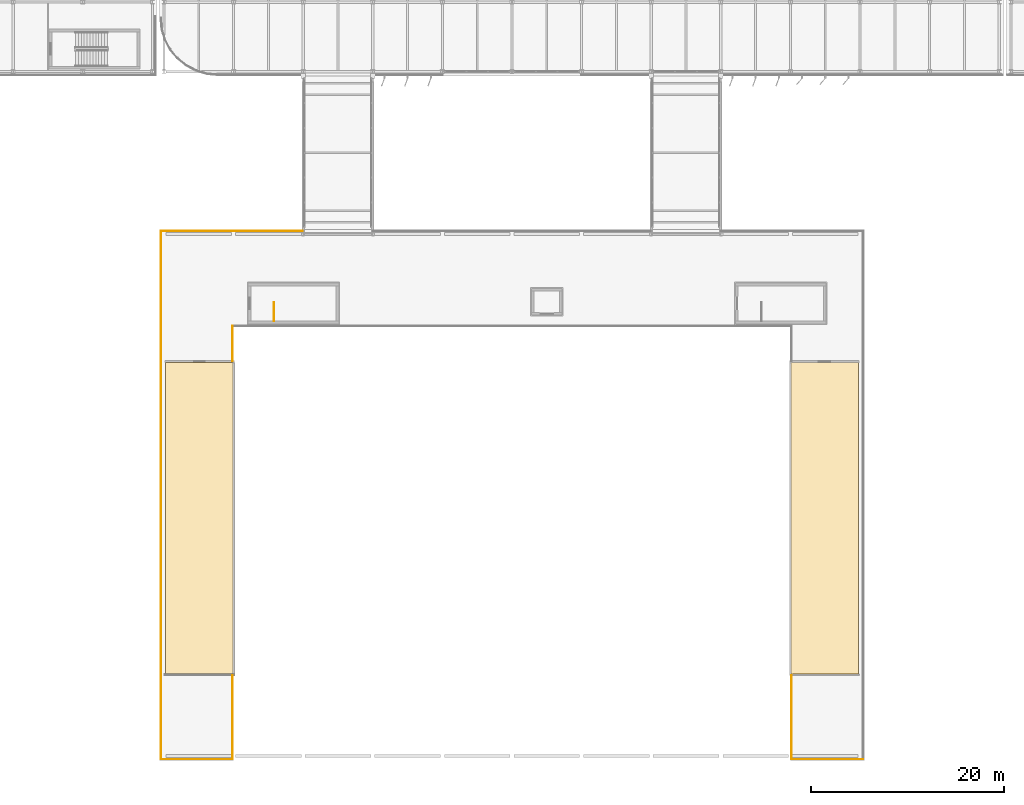
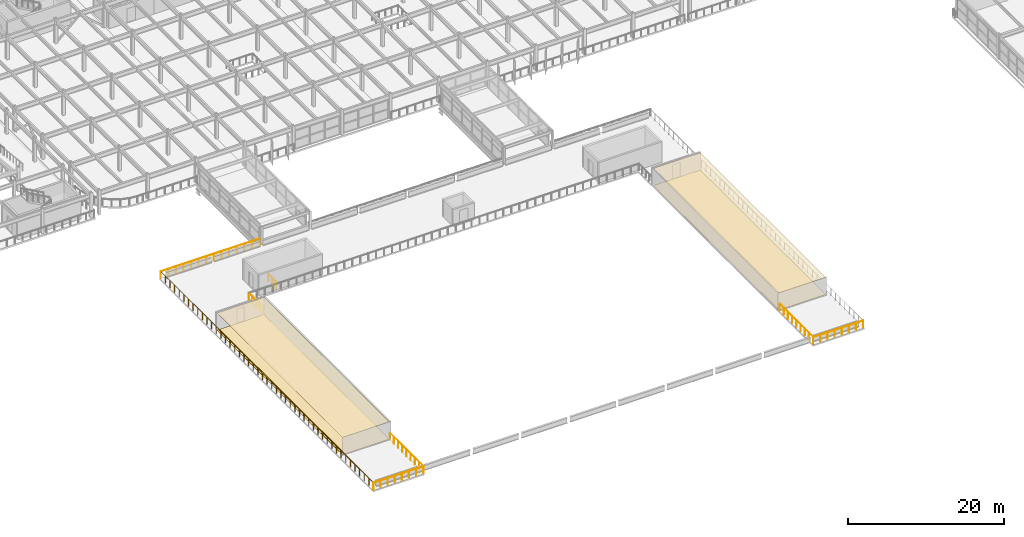
# One storey, part 76 of 93: 8 railings, 4 coverings.
"""IFC4 building model written with IfcOpenShell, lengths in metres."""

import ifcopenshell
import ifcopenshell.guid

model = None  # the IFC model being written
_history = None  # IfcOwnerHistory: only IFC2X3 demands one
_inside = {}  # id of a spatial element -> (the spatial element, [elements in it])
_under = {}  # id of a project, library or spatial element -> (it, [spatial elements below it])
_declared = {}  # id of a project -> (the project, [libraries it declares])
_typed = {}  # id of a type object -> (the type object, [elements of that type])
_made_of = {}  # id of a material, layer set ... -> (it, [elements and type objects made of it])


def new_model(schema):
    """Start an empty IFC model of exactly this schema.

    Asked for "IFC4X3", IfcOpenShell would pick the latest addendum, in which some entities
    have other attributes; the version numbers below select the first issue.
    IFC2X3 requires an IfcOwnerHistory on every rooted entity: one is made here for all.
    """
    global model, _history
    if schema == "IFC4X3":
        model = ifcopenshell.file(schema_version=(4, 3, 0, 0))
    else:
        model = ifcopenshell.file(schema=schema)
    _inside.clear()
    _under.clear()
    _declared.clear()
    _typed.clear()
    _made_of.clear()
    _history = None
    if model.schema == "IFC2X3":
        org = make("IfcOrganization", Name="unknown")
        user = make(
            "IfcPersonAndOrganization",
            ThePerson=make("IfcPerson", FamilyName="unknown"),
            TheOrganization=org,
        )
        app = make(
            "IfcApplication",
            ApplicationDeveloper=org,
            Version="unknown",
            ApplicationFullName="unknown",
            ApplicationIdentifier="unknown",
        )
        _history = make(
            "IfcOwnerHistory",
            OwningUser=user,
            OwningApplication=app,
            ChangeAction="ADDED",
            CreationDate=0,
        )
    return model


def make(cls, **values):
    """One entity of the class cls with the attributes given. An attribute that is None is left unset."""
    return model.create_entity(
        cls, **{name: value for name, value in values.items() if value is not None}
    )


def rooted(cls, **values):
    """An entity with a GlobalId (a new one), such as an element, a storey or a relation."""
    return make(cls, GlobalId=ifcopenshell.guid.new(), OwnerHistory=_history, **values)


def si_unit(unit_type, name, prefix=None):
    """IfcSIUnit, for example si_unit("LENGTHUNIT", "METRE", prefix="MILLI")."""
    return make("IfcSIUnit", UnitType=unit_type, Prefix=prefix, Name=name)


def assignment(units):
    """IfcUnitAssignment: the units of a project."""
    return None if units is None else make("IfcUnitAssignment", Units=units)


def point(xyz):
    """IfcCartesianPoint."""
    return None if xyz is None else make("IfcCartesianPoint", Coordinates=xyz)


def direction(xyz):
    """IfcDirection."""
    return None if xyz is None else make("IfcDirection", DirectionRatios=xyz)


def frame(location, z_axis=None, x_axis=None):
    """IfcAxis2Placement3D, a coordinate frame: its origin and axes. An axis left out is left unset."""
    return make(
        "IfcAxis2Placement3D",
        Location=point(location),
        Axis=direction(z_axis),
        RefDirection=direction(x_axis),
    )


def frame_2d(location, x_axis=None):
    """IfcAxis2Placement2D, a coordinate frame in the plane: its origin and x axis."""
    return make(
        "IfcAxis2Placement2D", Location=point(location), RefDirection=direction(x_axis)
    )


def origin():
    """The frame at (0, 0, 0) with its axes left unset."""
    return frame((0.0, 0.0, 0.0))


def origin_2d():
    """The frame at (0, 0) in the plane with its x axis left unset."""
    return frame_2d((0.0, 0.0))


def place(relative_to, where):
    """IfcLocalPlacement: puts the frame where relative to a parent placement (None: the world)."""
    return make(
        "IfcLocalPlacement", PlacementRelTo=relative_to, RelativePlacement=where
    )


def context(
    kind, dimensions, precision=None, world=None, true_north=None, identifier=None
):
    """IfcGeometricRepresentationContext, for example the 3D "Model" context."""
    return make(
        "IfcGeometricRepresentationContext",
        ContextIdentifier=identifier,
        ContextType=kind,
        CoordinateSpaceDimension=dimensions,
        Precision=precision,
        WorldCoordinateSystem=world,
        TrueNorth=true_north,
    )


def subcontext(parent, identifier, kind, view, scale=None):
    """IfcGeometricRepresentationSubContext, for example "Body" below "Model"."""
    return make(
        "IfcGeometricRepresentationSubContext",
        ContextIdentifier=identifier,
        ContextType=kind,
        ParentContext=parent,
        TargetScale=scale,
        TargetView=view,
    )


def project(units=None, contexts=None):
    """IfcProject with its units and contexts."""
    return rooted(
        "IfcProject",
        Name="project",
        RepresentationContexts=contexts,
        UnitsInContext=assignment(units),
    )


def spatial(cls, under=None, at=None, **own):
    """A site, building, storey or space (cls), placed at a placement, below another one or the project."""
    s = rooted(cls, ObjectPlacement=at, **own)
    if under is not None:
        _under.setdefault(under.id(), (under, []))[1].append(s)
    return s


def polyline(points):
    """IfcPolyline through the points."""
    return make("IfcPolyline", Points=[point(p) for p in points])


def profile(cls, at=None, kind="AREA", **sizes):
    """A parametric profile (cls). Its sizes go by their IFC names, for example OverallWidth=200.0."""
    return make(cls, ProfileType=kind, Position=at, **sizes)


def circle(**sizes):
    """IfcCircleProfileDef."""
    return profile("IfcCircleProfileDef", **sizes)


def outline(outer, holes=None, kind="AREA"):
    """IfcArbitraryClosedProfileDef: a profile drawn as a closed curve; with holes, ...WithVoids."""
    if holes is None:
        return make("IfcArbitraryClosedProfileDef", ProfileType=kind, OuterCurve=outer)
    return make(
        "IfcArbitraryProfileDefWithVoids",
        ProfileType=kind,
        OuterCurve=outer,
        InnerCurves=holes,
    )


def extrude(swept, where, along, depth):
    """IfcExtrudedAreaSolid: the profile swept, set in the frame where, extruded along a direction by depth."""
    return make(
        "IfcExtrudedAreaSolid",
        SweptArea=swept,
        Position=where,
        ExtrudedDirection=direction(along),
        Depth=depth,
    )


def shape(context_of_items, identifier, shape_type, items):
    """IfcShapeRepresentation: the items that make up one representation, for example the "Body"."""
    return make(
        "IfcShapeRepresentation",
        ContextOfItems=context_of_items,
        RepresentationIdentifier=identifier,
        RepresentationType=shape_type,
        Items=items,
    )


def material(Name=None, Category=None):
    """IfcMaterial."""
    return make("IfcMaterial", Name=Name, Category=Category)


def layer(
    of_material, thickness, ventilated=None, Name=None, Category=None, Priority=None
):
    """IfcMaterialLayer: one layer of a wall or slab, of a material (None: an air gap)."""
    return make(
        "IfcMaterialLayer",
        Material=of_material,
        LayerThickness=thickness,
        IsVentilated=ventilated,
        Name=Name,
        Category=Category,
        Priority=Priority,
    )


def layer_set(layers, Name=None):
    """IfcMaterialLayerSet."""
    return make("IfcMaterialLayerSet", MaterialLayers=layers, LayerSetName=Name)


def made_of(thing, what):
    """Note that an element or type object is made of a material, layer set ...; save() writes the relation."""
    if what is not None:
        _made_of.setdefault(what.id(), (what, []))[1].append(thing)
    return thing


def type_object(cls, material=None, **own):
    """A type object (cls), such as IfcWallType, which elements share."""
    return made_of(rooted(cls, **own), material)


def element(
    cls,
    number,
    at=None,
    inside=None,
    cuts=None,
    type_object=None,
    material=None,
    context=None,
    identifier="Body",
    shape_type=None,
    held_by="IfcProductDefinitionShape",
    body=None,
    shapes=None,
    **own,
):
    """One element of the class cls, such as IfcWall. Its Tag is "e" and its number.

    at: its placement. inside: the storey or other place that contains it. cuts: it is an
    opening in that element (IfcRelVoidsElement). A single representation is given by context,
    identifier, shape_type and body (its items); several are given by shapes. held_by: the class
    of the entity that holds the representations. save() writes the other relations.
    """
    e = rooted(cls, Tag="e%d" % number, ObjectPlacement=at, **own)
    if body is not None:
        shapes = [shape(context, identifier, shape_type, body)]
    if shapes is not None:
        e.Representation = make(held_by, Representations=shapes)
    if inside is not None:
        _inside.setdefault(inside.id(), (inside, []))[1].append(e)
    if cuts is not None:
        rooted(
            "IfcRelVoidsElement", RelatingBuildingElement=cuts, RelatedOpeningElement=e
        )
    if type_object is not None:
        _typed.setdefault(type_object.id(), (type_object, []))[1].append(e)
    return made_of(e, material)


def aggregate(whole, parts):
    """IfcRelAggregates: a whole, such as a stair, and the parts it consists of."""
    return rooted("IfcRelAggregates", RelatingObject=whole, RelatedObjects=parts)


def save(model, path):
    """Write the relations noted so far, then the file.

    IfcRelAggregates (storeys below a building ...), IfcRelContainedInSpatialStructure (elements
    in a storey), IfcRelDefinesByType, IfcRelAssociatesMaterial and IfcRelDeclares: one each for
    every whole, place, type object, material and project.
    """
    for whole, parts in _under.values():
        aggregate(whole, parts)
    for where, things in _inside.values():
        rooted(
            "IfcRelContainedInSpatialStructure",
            RelatedElements=things,
            RelatingStructure=where,
        )
    for kind, things in _typed.values():
        rooted("IfcRelDefinesByType", RelatedObjects=things, RelatingType=kind)
    for what, things in _made_of.values():
        rooted("IfcRelAssociatesMaterial", RelatedObjects=things, RelatingMaterial=what)
    for by, libraries in _declared.values():
        rooted("IfcRelDeclares", RelatingContext=by, RelatedDefinitions=libraries)
    model.write(path)


model = new_model("IFC4")

# Units and contexts
model_context = context("Model", 3, precision=1e-05, world=origin(), true_north=direction((0.0, 1.0)))
body_context = subcontext(model_context, "Body", "Model", "MODEL_VIEW")
ifc_project = project(units=[si_unit("LENGTHUNIT", "METRE"), si_unit("AREAUNIT", "SQUARE_METRE"), si_unit("VOLUMEUNIT", "CUBIC_METRE"), si_unit("PLANEANGLEUNIT", "RADIAN"), si_unit("MASSUNIT", "GRAM", prefix="KILO")], contexts=[model_context])

# Site, building, storey
site_placement = place(None, origin())
site = spatial("IfcSite", under=ifc_project, at=site_placement, CompositionType="ELEMENT")
building_placement = place(site_placement, origin())
building = spatial("IfcBuilding", under=site, at=building_placement, Name="Vaelcorin Mobility Hub", CompositionType="ELEMENT")
storey_placement = place(building_placement, frame((0.0, 0.0, 5.39990234375)))
storey = spatial("IfcBuildingStorey", under=building, at=storey_placement, Name="L01", CompositionType="ELEMENT", Elevation=5.39990234375)

# Coverings
ifc_material_1 = material(Name="Perforated acoustic mineral-fibre ceiling tile")
ifc_layer_1 = layer(ifc_material_1, 0.030029296875)
ifc_layer_set_1 = layer_set([ifc_layer_1], Name="Perforated acoustic mineral-fibre ceiling tile")
covering_type_1 = type_object("IfcCoveringType", Name="COV-CEIL-3", PredefinedType="CEILING", material=ifc_layer_set_1)
covering_1_placement = place(storey_placement, frame((0.0, 0.0, 2.68017578125)))
element("IfcCovering", 1, at=covering_1_placement, inside=storey, type_object=covering_type_1, Name="West Executive Passenger Lounge Acoustic Ceiling", PredefinedType="CEILING", context=body_context, shape_type="SweptSolid", body=[
    extrude(outline(polyline([(36.199951171875, 14.47998046875), (36.194091796875, 14.47998046875), (36.18798828125, 14.48095703125), (36.18310546875, 14.48291015625), (36.177001953125, 14.485107421875), (36.172119140625, 14.487060546875), (36.1669921875, 14.489990234375), (36.162109375, 14.493896484375), (36.157958984375, 14.498046875), (36.154052734375, 14.501953125), (36.14990234375, 14.507080078125), (36.14697265625, 14.511962890625), (36.14501953125, 14.51708984375), (36.14306640625, 14.52294921875), (36.14111328125, 14.528076171875), (36.139892578125, 14.533935546875), (36.139892578125, 14.5400390625), (36.139892578125, 46.659912109375), (36.139892578125, 46.666015625), (36.14111328125, 46.672119140625), (36.14306640625, 46.677001953125), (36.14501953125, 46.68310546875), (36.14697265625, 46.68798828125), (36.14990234375, 46.693115234375), (36.154052734375, 46.697998046875), (36.157958984375, 46.701904296875), (36.162109375, 46.7060546875), (36.1669921875, 46.7099609375), (36.172119140625, 46.712890625), (36.177001953125, 46.715087890625), (36.18310546875, 46.717041015625), (36.18798828125, 46.718994140625), (36.194091796875, 46.719970703125), (36.199951171875, 46.719970703125), (43.06005859375, 46.719970703125), (43.06591796875, 46.719970703125), (43.072021484375, 46.718994140625), (43.076904296875, 46.717041015625), (43.0830078125, 46.715087890625), (43.087890625, 46.712890625), (43.093017578125, 46.7099609375), (43.097900390625, 46.7060546875), (43.10205078125, 46.701904296875), (43.10595703125, 46.697998046875), (43.110107421875, 46.693115234375), (43.113037109375, 46.68798828125), (43.114990234375, 46.68310546875), (43.116943359375, 46.677001953125), (43.118896484375, 46.672119140625), (43.1201171875, 46.666015625), (43.1201171875, 46.659912109375), (43.1201171875, 14.5400390625), (43.1201171875, 14.533935546875), (43.118896484375, 14.528076171875), (43.116943359375, 14.52294921875), (43.114990234375, 14.51708984375), (43.113037109375, 14.511962890625), (43.110107421875, 14.507080078125), (43.10595703125, 14.501953125), (43.10205078125, 14.498046875), (43.097900390625, 14.493896484375), (43.093017578125, 14.489990234375), (43.087890625, 14.487060546875), (43.0830078125, 14.485107421875), (43.076904296875, 14.48291015625), (43.072021484375, 14.48095703125), (43.06591796875, 14.47998046875), (43.06005859375, 14.47998046875), (36.199951171875, 14.47998046875)])), origin(), (0.0, 0.0, 1.0), 0.030029296875),
])
ifc_layer_2 = layer(ifc_material_1, 0.0380859375)
ifc_layer_set_2 = layer_set([ifc_layer_2], Name="Perforated acoustic mineral-fibre ceiling tile")
covering_type_2 = type_object("IfcCoveringType", Name="COV-CEIL-4", PredefinedType="CEILING", material=ifc_layer_set_2)
covering_2_placement = place(storey_placement, frame((0.0, 0.0, 2.68017578125)))
element("IfcCovering", 2, at=covering_2_placement, inside=storey, type_object=covering_type_2, Name="Concourse Overlook Espresso Bar Acoustic Ceiling", PredefinedType="CEILING", context=body_context, shape_type="SweptSolid", body=[
    extrude(outline(polyline([(100.93994140625, 14.47998046875), (100.93408203125, 14.47998046875), (100.927978515625, 14.48095703125), (100.923095703125, 14.48291015625), (100.9169921875, 14.485107421875), (100.912109375, 14.487060546875), (100.906982421875, 14.489990234375), (100.902099609375, 14.493896484375), (100.89794921875, 14.498046875), (100.89404296875, 14.501953125), (100.889892578125, 14.507080078125), (100.886962890625, 14.511962890625), (100.885009765625, 14.51708984375), (100.883056640625, 14.52294921875), (100.881103515625, 14.528076171875), (100.8798828125, 14.533935546875), (100.8798828125, 14.5400390625), (100.8798828125, 46.659912109375), (100.8798828125, 46.666015625), (100.881103515625, 46.672119140625), (100.883056640625, 46.677001953125), (100.885009765625, 46.68310546875), (100.886962890625, 46.68798828125), (100.889892578125, 46.693115234375), (100.89404296875, 46.697998046875), (100.89794921875, 46.701904296875), (100.902099609375, 46.7060546875), (100.906982421875, 46.7099609375), (100.912109375, 46.712890625), (100.9169921875, 46.715087890625), (100.923095703125, 46.717041015625), (100.927978515625, 46.718994140625), (100.93408203125, 46.719970703125), (100.93994140625, 46.719970703125), (107.800048828125, 46.719970703125), (107.805908203125, 46.719970703125), (107.81201171875, 46.718994140625), (107.81689453125, 46.717041015625), (107.822998046875, 46.715087890625), (107.827880859375, 46.712890625), (107.8330078125, 46.7099609375), (107.837890625, 46.7060546875), (107.842041015625, 46.701904296875), (107.845947265625, 46.697998046875), (107.85009765625, 46.693115234375), (107.85302734375, 46.68798828125), (107.85498046875, 46.68310546875), (107.85693359375, 46.677001953125), (107.85888671875, 46.672119140625), (107.860107421875, 46.666015625), (107.860107421875, 46.659912109375), (107.860107421875, 14.5400390625), (107.860107421875, 14.533935546875), (107.85888671875, 14.528076171875), (107.85693359375, 14.52294921875), (107.85498046875, 14.51708984375), (107.85302734375, 14.511962890625), (107.85009765625, 14.507080078125), (107.845947265625, 14.501953125), (107.842041015625, 14.498046875), (107.837890625, 14.493896484375), (107.8330078125, 14.489990234375), (107.827880859375, 14.487060546875), (107.822998046875, 14.485107421875), (107.81689453125, 14.48291015625), (107.81201171875, 14.48095703125), (107.805908203125, 14.47998046875), (107.800048828125, 14.47998046875), (100.93994140625, 14.47998046875)])), origin(), (0.0, 0.0, 1.0), 0.037841796875),
])
ifc_material_2 = material(Name="Polished epoxy-terrazzo concourse flooring")
ifc_layer_3 = layer(ifc_material_2, 0.01806640625)
ifc_layer_set_3 = layer_set([ifc_layer_3], Name="Polished epoxy-terrazzo concourse flooring")
covering_type_3 = type_object("IfcCoveringType", Name="COV-FLR-1", PredefinedType="FLOORING", material=ifc_layer_set_3)
covering_3_placement = place(storey_placement, origin())
element("IfcCovering", 3, at=covering_3_placement, inside=storey, type_object=covering_type_3, Name="West Executive Passenger Lounge Finish Flooring", PredefinedType="FLOORING", context=body_context, shape_type="SweptSolid", body=[
    extrude(outline(polyline([(36.199951171875, 14.47998046875), (36.194091796875, 14.47998046875), (36.18798828125, 14.48095703125), (36.18310546875, 14.48291015625), (36.177001953125, 14.485107421875), (36.172119140625, 14.487060546875), (36.1669921875, 14.489990234375), (36.162109375, 14.493896484375), (36.157958984375, 14.498046875), (36.154052734375, 14.501953125), (36.14990234375, 14.507080078125), (36.14697265625, 14.511962890625), (36.14501953125, 14.51708984375), (36.14306640625, 14.52294921875), (36.14111328125, 14.528076171875), (36.139892578125, 14.533935546875), (36.139892578125, 14.5400390625), (36.139892578125, 46.659912109375), (36.139892578125, 46.666015625), (36.14111328125, 46.672119140625), (36.14306640625, 46.677001953125), (36.14501953125, 46.68310546875), (36.14697265625, 46.68798828125), (36.14990234375, 46.693115234375), (36.154052734375, 46.697998046875), (36.157958984375, 46.701904296875), (36.162109375, 46.7060546875), (36.1669921875, 46.7099609375), (36.172119140625, 46.712890625), (36.177001953125, 46.715087890625), (36.18310546875, 46.717041015625), (36.18798828125, 46.718994140625), (36.194091796875, 46.719970703125), (36.199951171875, 46.719970703125), (43.06005859375, 46.719970703125), (43.06591796875, 46.719970703125), (43.072021484375, 46.718994140625), (43.076904296875, 46.717041015625), (43.0830078125, 46.715087890625), (43.087890625, 46.712890625), (43.093017578125, 46.7099609375), (43.097900390625, 46.7060546875), (43.10205078125, 46.701904296875), (43.10595703125, 46.697998046875), (43.110107421875, 46.693115234375), (43.113037109375, 46.68798828125), (43.114990234375, 46.68310546875), (43.116943359375, 46.677001953125), (43.118896484375, 46.672119140625), (43.1201171875, 46.666015625), (43.1201171875, 46.659912109375), (43.1201171875, 14.5400390625), (43.1201171875, 14.533935546875), (43.118896484375, 14.528076171875), (43.116943359375, 14.52294921875), (43.114990234375, 14.51708984375), (43.113037109375, 14.511962890625), (43.110107421875, 14.507080078125), (43.10595703125, 14.501953125), (43.10205078125, 14.498046875), (43.097900390625, 14.493896484375), (43.093017578125, 14.489990234375), (43.087890625, 14.487060546875), (43.0830078125, 14.485107421875), (43.076904296875, 14.48291015625), (43.072021484375, 14.48095703125), (43.06591796875, 14.47998046875), (43.06005859375, 14.47998046875), (36.199951171875, 14.47998046875)])), origin(), (0.0, 0.0, 1.0), 0.01806640625),
])
ifc_layer_4 = layer(ifc_material_2, 0.02587890625)
ifc_layer_set_4 = layer_set([ifc_layer_4], Name="Polished epoxy-terrazzo concourse flooring")
covering_type_4 = type_object("IfcCoveringType", Name="COV-FLR-2", PredefinedType="FLOORING", material=ifc_layer_set_4)
covering_4_placement = place(storey_placement, origin())
element("IfcCovering", 4, at=covering_4_placement, inside=storey, type_object=covering_type_4, Name="Concourse Overlook Espresso Bar Finish Flooring", PredefinedType="FLOORING", context=body_context, shape_type="SweptSolid", body=[
    extrude(outline(polyline([(100.93994140625, 14.47998046875), (100.93408203125, 14.47998046875), (100.927978515625, 14.48095703125), (100.923095703125, 14.48291015625), (100.9169921875, 14.485107421875), (100.912109375, 14.487060546875), (100.906982421875, 14.489990234375), (100.902099609375, 14.493896484375), (100.89794921875, 14.498046875), (100.89404296875, 14.501953125), (100.889892578125, 14.507080078125), (100.886962890625, 14.511962890625), (100.885009765625, 14.51708984375), (100.883056640625, 14.52294921875), (100.881103515625, 14.528076171875), (100.8798828125, 14.533935546875), (100.8798828125, 14.5400390625), (100.8798828125, 46.659912109375), (100.8798828125, 46.666015625), (100.881103515625, 46.672119140625), (100.883056640625, 46.677001953125), (100.885009765625, 46.68310546875), (100.886962890625, 46.68798828125), (100.889892578125, 46.693115234375), (100.89404296875, 46.697998046875), (100.89794921875, 46.701904296875), (100.902099609375, 46.7060546875), (100.906982421875, 46.7099609375), (100.912109375, 46.712890625), (100.9169921875, 46.715087890625), (100.923095703125, 46.717041015625), (100.927978515625, 46.718994140625), (100.93408203125, 46.719970703125), (100.93994140625, 46.719970703125), (107.800048828125, 46.719970703125), (107.805908203125, 46.719970703125), (107.81201171875, 46.718994140625), (107.81689453125, 46.717041015625), (107.822998046875, 46.715087890625), (107.827880859375, 46.712890625), (107.8330078125, 46.7099609375), (107.837890625, 46.7060546875), (107.842041015625, 46.701904296875), (107.845947265625, 46.697998046875), (107.85009765625, 46.693115234375), (107.85302734375, 46.68798828125), (107.85498046875, 46.68310546875), (107.85693359375, 46.677001953125), (107.85888671875, 46.672119140625), (107.860107421875, 46.666015625), (107.860107421875, 46.659912109375), (107.860107421875, 14.5400390625), (107.860107421875, 14.533935546875), (107.85888671875, 14.528076171875), (107.85693359375, 14.52294921875), (107.85498046875, 14.51708984375), (107.85302734375, 14.511962890625), (107.85009765625, 14.507080078125), (107.845947265625, 14.501953125), (107.842041015625, 14.498046875), (107.837890625, 14.493896484375), (107.8330078125, 14.489990234375), (107.827880859375, 14.487060546875), (107.822998046875, 14.485107421875), (107.81689453125, 14.48291015625), (107.81201171875, 14.48095703125), (107.805908203125, 14.47998046875), (107.800048828125, 14.47998046875), (100.93994140625, 14.47998046875)])), origin(), (0.0, 0.0, 1.0), 0.026123046875),
])

# Railings
ifc_material_3 = material(Name="Anodised aluminium 6063-T6", Category="aluminium")
ifc_layer_5 = layer(ifc_material_3, 0.070068359375)
ifc_layer_set_5 = layer_set([ifc_layer_5], Name="Anodised aluminium 6063-T6")
railing_type_1 = type_object("IfcRailingType", Name="RL-GUARD-1150", PredefinedType="BALUSTRADE", material=ifc_layer_set_5)
railing_1_placement = place(storey_placement, frame((43.080078125, 5.669921875, 0.0)))
element("IfcRailing", 5, at=railing_1_placement, inside=storey, type_object=railing_type_1, Name="L01 Perimeter Guard GR-V1-L01-OUT-W-01", PredefinedType="BALUSTRADE", context=body_context, shape_type="SweptSolid", body=[
    extrude(circle(Radius=0.02392578125, at=origin_2d()), frame((0.0, 0.0, 1.1259765625), z_axis=(-1.0, 0.0, 0.0), x_axis=(0.0, -1.0, 0.0)), (0.0, 0.0, 1.0), 7.41015625),
    extrude(circle(Radius=0.02099609375, at=origin_2d()), origin(), (0.0, 0.0, 1.0), 1.101806640625),
    extrude(circle(Radius=0.02099609375, at=origin_2d()), frame((-1.05859375, 0.0, 0.0)), (0.0, 0.0, 1.0), 1.101806640625),
    extrude(circle(Radius=0.02099609375, at=origin_2d()), frame((-2.1171875, 0.0, 0.0)), (0.0, 0.0, 1.0), 1.101806640625),
    extrude(circle(Radius=0.02099609375, at=origin_2d()), frame((-3.17578125, 0.0, 0.0)), (0.0, 0.0, 1.0), 1.101806640625),
    extrude(circle(Radius=0.02099609375, at=origin_2d()), frame((-4.234375, 0.0, 0.0)), (0.0, 0.0, 1.0), 1.101806640625),
    extrude(circle(Radius=0.02099609375, at=origin_2d()), frame((-5.29296875, 0.0, 0.0)), (0.0, 0.0, 1.0), 1.101806640625),
    extrude(circle(Radius=0.02099609375, at=origin_2d()), frame((-6.3515625, 0.0, 0.0)), (0.0, 0.0, 1.0), 1.101806640625),
    extrude(circle(Radius=0.02099609375, at=origin_2d()), frame((-7.41015625, 0.0, 0.0)), (0.0, 0.0, 1.0), 1.101806640625),
])
railing_2_placement = place(storey_placement, frame((35.669921875, 5.669921875, 0.0)))
element("IfcRailing", 6, at=railing_2_placement, inside=storey, type_object=railing_type_1, Name="L01 Perimeter Guard GR-V1-L01-OUT-W-02", PredefinedType="BALUSTRADE", context=body_context, shape_type="SweptSolid", body=[
    extrude(circle(Radius=0.02392578125, at=origin_2d()), frame((0.0, 0.0, 1.1259765625), z_axis=(0.0, 1.0, 0.0), x_axis=(-1.0, 0.0, 0.0)), (0.0, 0.0, 1.0), 54.66015625),
    extrude(circle(Radius=0.02099609375, at=origin_2d()), origin(), (0.0, 0.0, 1.0), 1.101806640625),
    extrude(circle(Radius=0.02099609375, at=origin_2d()), frame((0.0, 1.188232421875, 0.0)), (0.0, 0.0, 1.0), 1.101806640625),
    extrude(circle(Radius=0.02099609375, at=origin_2d()), frame((0.0, 2.37646484375, 0.0)), (0.0, 0.0, 1.0), 1.101806640625),
    extrude(circle(Radius=0.02099609375, at=origin_2d()), frame((0.0, 3.564697265625, 0.0)), (0.0, 0.0, 1.0), 1.101806640625),
    extrude(circle(Radius=0.02099609375, at=origin_2d()), frame((0.0, 4.753173828125, 0.0)), (0.0, 0.0, 1.0), 1.101806640625),
    extrude(circle(Radius=0.02099609375, at=origin_2d()), frame((0.0, 5.94140625, 0.0)), (0.0, 0.0, 1.0), 1.101806640625),
    extrude(circle(Radius=0.02099609375, at=origin_2d()), frame((0.0, 7.129638671875, 0.0)), (0.0, 0.0, 1.0), 1.101806640625),
    extrude(circle(Radius=0.02099609375, at=origin_2d()), frame((0.0, 8.31787109375, 0.0)), (0.0, 0.0, 1.0), 1.101806640625),
    extrude(circle(Radius=0.02099609375, at=origin_2d()), frame((0.0, 9.506103515625, 0.0)), (0.0, 0.0, 1.0), 1.101806640625),
    extrude(circle(Radius=0.02099609375, at=origin_2d()), frame((0.0, 10.6943359375, 0.0)), (0.0, 0.0, 1.0), 1.101806640625),
    extrude(circle(Radius=0.02099609375, at=origin_2d()), frame((0.0, 11.882568359375, 0.0)), (0.0, 0.0, 1.0), 1.101806640625),
    extrude(circle(Radius=0.02099609375, at=origin_2d()), frame((0.0, 13.07080078125, 0.0)), (0.0, 0.0, 1.0), 1.101806640625),
    extrude(circle(Radius=0.02099609375, at=origin_2d()), frame((0.0, 14.25927734375, 0.0)), (0.0, 0.0, 1.0), 1.101806640625),
    extrude(circle(Radius=0.02099609375, at=origin_2d()), frame((0.0, 15.447509765625, 0.0)), (0.0, 0.0, 1.0), 1.101806640625),
    extrude(circle(Radius=0.02099609375, at=origin_2d()), frame((0.0, 16.6357421875, 0.0)), (0.0, 0.0, 1.0), 1.101806640625),
    extrude(circle(Radius=0.02099609375, at=origin_2d()), frame((0.0, 17.823974609375, 0.0)), (0.0, 0.0, 1.0), 1.101806640625),
    extrude(circle(Radius=0.02099609375, at=origin_2d()), frame((0.0, 19.01220703125, 0.0)), (0.0, 0.0, 1.0), 1.101806640625),
    extrude(circle(Radius=0.02099609375, at=origin_2d()), frame((0.0, 20.200439453125, 0.0)), (0.0, 0.0, 1.0), 1.101806640625),
    extrude(circle(Radius=0.02099609375, at=origin_2d()), frame((0.0, 21.388671875, 0.0)), (0.0, 0.0, 1.0), 1.101806640625),
    extrude(circle(Radius=0.02099609375, at=origin_2d()), frame((0.0, 22.576904296875, 0.0)), (0.0, 0.0, 1.0), 1.101806640625),
    extrude(circle(Radius=0.02099609375, at=origin_2d()), frame((0.0, 23.765380859375, 0.0)), (0.0, 0.0, 1.0), 1.101806640625),
    extrude(circle(Radius=0.02099609375, at=origin_2d()), frame((0.0, 24.95361328125, 0.0)), (0.0, 0.0, 1.0), 1.101806640625),
    extrude(circle(Radius=0.02099609375, at=origin_2d()), frame((0.0, 26.141845703125, 0.0)), (0.0, 0.0, 1.0), 1.101806640625),
    extrude(circle(Radius=0.02099609375, at=origin_2d()), frame((0.0, 27.330078125, 0.0)), (0.0, 0.0, 1.0), 1.101806640625),
    extrude(circle(Radius=0.02099609375, at=origin_2d()), frame((0.0, 28.518310546875, 0.0)), (0.0, 0.0, 1.0), 1.101806640625),
    extrude(circle(Radius=0.02099609375, at=origin_2d()), frame((0.0, 29.70654296875, 0.0)), (0.0, 0.0, 1.0), 1.101806640625),
    extrude(circle(Radius=0.02099609375, at=origin_2d()), frame((0.0, 30.894775390625, 0.0)), (0.0, 0.0, 1.0), 1.101806640625),
    extrude(circle(Radius=0.02099609375, at=origin_2d()), frame((0.0, 32.083251953125, 0.0)), (0.0, 0.0, 1.0), 1.101806640625),
    extrude(circle(Radius=0.02099609375, at=origin_2d()), frame((0.0, 33.271484375, 0.0)), (0.0, 0.0, 1.0), 1.101806640625),
    extrude(circle(Radius=0.02099609375, at=origin_2d()), frame((0.0, 34.459716796875, 0.0)), (0.0, 0.0, 1.0), 1.101806640625),
    extrude(circle(Radius=0.02099609375, at=origin_2d()), frame((0.0, 35.64794921875, 0.0)), (0.0, 0.0, 1.0), 1.101806640625),
    extrude(circle(Radius=0.02099609375, at=origin_2d()), frame((0.0, 36.836181640625, 0.0)), (0.0, 0.0, 1.0), 1.101806640625),
    extrude(circle(Radius=0.02099609375, at=origin_2d()), frame((0.0, 38.0244140625, 0.0)), (0.0, 0.0, 1.0), 1.101806640625),
    extrude(circle(Radius=0.02099609375, at=origin_2d()), frame((0.0, 39.212646484375, 0.0)), (0.0, 0.0, 1.0), 1.101806640625),
    extrude(circle(Radius=0.02099609375, at=origin_2d()), frame((0.0, 40.40087890625, 0.0)), (0.0, 0.0, 1.0), 1.101806640625),
    extrude(circle(Radius=0.02099609375, at=origin_2d()), frame((0.0, 41.58935546875, 0.0)), (0.0, 0.0, 1.0), 1.101806640625),
    extrude(circle(Radius=0.02099609375, at=origin_2d()), frame((0.0, 42.777587890625, 0.0)), (0.0, 0.0, 1.0), 1.101806640625),
    extrude(circle(Radius=0.02099609375, at=origin_2d()), frame((0.0, 43.9658203125, 0.0)), (0.0, 0.0, 1.0), 1.101806640625),
    extrude(circle(Radius=0.02099609375, at=origin_2d()), frame((0.0, 45.154052734375, 0.0)), (0.0, 0.0, 1.0), 1.101806640625),
    extrude(circle(Radius=0.02099609375, at=origin_2d()), frame((0.0, 46.34228515625, 0.0)), (0.0, 0.0, 1.0), 1.101806640625),
    extrude(circle(Radius=0.02099609375, at=origin_2d()), frame((0.0, 47.530517578125, 0.0)), (0.0, 0.0, 1.0), 1.101806640625),
    extrude(circle(Radius=0.02099609375, at=origin_2d()), frame((0.0, 48.71875, 0.0)), (0.0, 0.0, 1.0), 1.101806640625),
    extrude(circle(Radius=0.02099609375, at=origin_2d()), frame((0.0, 49.906982421875, 0.0)), (0.0, 0.0, 1.0), 1.101806640625),
    extrude(circle(Radius=0.02099609375, at=origin_2d()), frame((0.0, 51.095458984375, 0.0)), (0.0, 0.0, 1.0), 1.101806640625),
    extrude(circle(Radius=0.02099609375, at=origin_2d()), frame((0.0, 52.28369140625, 0.0)), (0.0, 0.0, 1.0), 1.101806640625),
    extrude(circle(Radius=0.02099609375, at=origin_2d()), frame((0.0, 53.471923828125, 0.0)), (0.0, 0.0, 1.0), 1.101806640625),
    extrude(circle(Radius=0.02099609375, at=origin_2d()), frame((0.0, 54.66015625, 0.0)), (0.0, 0.0, 1.0), 1.101806640625),
])
railing_3_placement = place(storey_placement, frame((35.669921875, 60.330078125, 0.0)))
element("IfcRailing", 7, at=railing_3_placement, inside=storey, type_object=railing_type_1, Name="L01 Perimeter Guard GR-V1-L01-OUT-W-03", PredefinedType="BALUSTRADE", context=body_context, shape_type="SweptSolid", body=[
    extrude(circle(Radius=0.02392578125, at=origin_2d()), frame((0.0, 0.0, 1.1259765625), z_axis=(1.0, 0.0, 0.0), x_axis=(0.0, 1.0, 0.0)), (0.0, 0.0, 1.0), 14.68017578125),
    extrude(circle(Radius=0.02099609375, at=origin_2d()), origin(), (0.0, 0.0, 1.0), 1.101806640625),
    extrude(circle(Radius=0.02099609375, at=origin_2d()), frame((1.129150390625, 0.0, 0.0)), (0.0, 0.0, 1.0), 1.101806640625),
    extrude(circle(Radius=0.02099609375, at=origin_2d()), frame((2.258544921875, 0.0, 0.0)), (0.0, 0.0, 1.0), 1.101806640625),
    extrude(circle(Radius=0.02099609375, at=origin_2d()), frame((3.3876953125, 0.0, 0.0)), (0.0, 0.0, 1.0), 1.101806640625),
    extrude(circle(Radius=0.02099609375, at=origin_2d()), frame((4.51708984375, 0.0, 0.0)), (0.0, 0.0, 1.0), 1.101806640625),
    extrude(circle(Radius=0.02099609375, at=origin_2d()), frame((5.646240234375, 0.0, 0.0)), (0.0, 0.0, 1.0), 1.101806640625),
    extrude(circle(Radius=0.02099609375, at=origin_2d()), frame((6.775390625, 0.0, 0.0)), (0.0, 0.0, 1.0), 1.101806640625),
    extrude(circle(Radius=0.02099609375, at=origin_2d()), frame((7.90478515625, 0.0, 0.0)), (0.0, 0.0, 1.0), 1.101806640625),
    extrude(circle(Radius=0.02099609375, at=origin_2d()), frame((9.033935546875, 0.0, 0.0)), (0.0, 0.0, 1.0), 1.101806640625),
    extrude(circle(Radius=0.02099609375, at=origin_2d()), frame((10.1630859375, 0.0, 0.0)), (0.0, 0.0, 1.0), 1.101806640625),
    extrude(circle(Radius=0.02099609375, at=origin_2d()), frame((11.29248046875, 0.0, 0.0)), (0.0, 0.0, 1.0), 1.101806640625),
    extrude(circle(Radius=0.02099609375, at=origin_2d()), frame((12.421630859375, 0.0, 0.0)), (0.0, 0.0, 1.0), 1.101806640625),
    extrude(circle(Radius=0.02099609375, at=origin_2d()), frame((13.551025390625, 0.0, 0.0)), (0.0, 0.0, 1.0), 1.101806640625),
    extrude(circle(Radius=0.02099609375, at=origin_2d()), frame((14.68017578125, 0.0, 0.0)), (0.0, 0.0, 1.0), 1.101806640625),
])
railing_4_placement = place(storey_placement, frame((108.330078125, 5.669921875, 0.0)))
element("IfcRailing", 8, at=railing_4_placement, inside=storey, type_object=railing_type_1, Name="L01 Perimeter Guard GR-V1-L01-OUT-E-03", PredefinedType="BALUSTRADE", context=body_context, shape_type="SweptSolid", body=[
    extrude(circle(Radius=0.02392578125, at=origin_2d()), frame((0.0, 0.0, 1.1259765625), z_axis=(-1.0, 0.0, 0.0), x_axis=(0.0, -1.0, 0.0)), (0.0, 0.0, 1.0), 7.41015625),
    extrude(circle(Radius=0.02099609375, at=origin_2d()), origin(), (0.0, 0.0, 1.0), 1.101806640625),
    extrude(circle(Radius=0.02099609375, at=origin_2d()), frame((-1.05859375, 0.0, 0.0)), (0.0, 0.0, 1.0), 1.101806640625),
    extrude(circle(Radius=0.02099609375, at=origin_2d()), frame((-2.1171875, 0.0, 0.0)), (0.0, 0.0, 1.0), 1.101806640625),
    extrude(circle(Radius=0.02099609375, at=origin_2d()), frame((-3.17578125, 0.0, 0.0)), (0.0, 0.0, 1.0), 1.101806640625),
    extrude(circle(Radius=0.02099609375, at=origin_2d()), frame((-4.234375, 0.0, 0.0)), (0.0, 0.0, 1.0), 1.101806640625),
    extrude(circle(Radius=0.02099609375, at=origin_2d()), frame((-5.29296875, 0.0, 0.0)), (0.0, 0.0, 1.0), 1.101806640625),
    extrude(circle(Radius=0.02099609375, at=origin_2d()), frame((-6.3515625, 0.0, 0.0)), (0.0, 0.0, 1.0), 1.101806640625),
    extrude(circle(Radius=0.02099609375, at=origin_2d()), frame((-7.41015625, 0.0, 0.0)), (0.0, 0.0, 1.0), 1.101806640625),
])
railing_5_placement = place(storey_placement, frame((43.080078125, 5.669921875, 0.0)))
element("IfcRailing", 9, at=railing_5_placement, inside=storey, type_object=railing_type_1, Name="L01 Perimeter Guard GR-V1-L01-ATR-SW-01", PredefinedType="BALUSTRADE", context=body_context, shape_type="SweptSolid", body=[
    extrude(circle(Radius=0.02392578125, at=origin_2d()), frame((0.0, 0.0, 1.1259765625), z_axis=(0.0, 1.0, 0.0), x_axis=(-1.0, 0.0, 0.0)), (0.0, 0.0, 1.0), 8.650146484375),
    extrude(circle(Radius=0.02099609375, at=origin_2d()), origin(), (0.0, 0.0, 1.0), 1.101806640625),
    extrude(circle(Radius=0.02099609375, at=origin_2d()), frame((0.0, 1.081298828125, 0.0)), (0.0, 0.0, 1.0), 1.101806640625),
    extrude(circle(Radius=0.02099609375, at=origin_2d()), frame((0.0, 2.16259765625, 0.0)), (0.0, 0.0, 1.0), 1.101806640625),
    extrude(circle(Radius=0.02099609375, at=origin_2d()), frame((0.0, 3.243896484375, 0.0)), (0.0, 0.0, 1.0), 1.101806640625),
    extrude(circle(Radius=0.02099609375, at=origin_2d()), frame((0.0, 4.3251953125, 0.0)), (0.0, 0.0, 1.0), 1.101806640625),
    extrude(circle(Radius=0.02099609375, at=origin_2d()), frame((0.0, 5.40625, 0.0)), (0.0, 0.0, 1.0), 1.101806640625),
    extrude(circle(Radius=0.02099609375, at=origin_2d()), frame((0.0, 6.487548828125, 0.0)), (0.0, 0.0, 1.0), 1.101806640625),
    extrude(circle(Radius=0.02099609375, at=origin_2d()), frame((0.0, 7.56884765625, 0.0)), (0.0, 0.0, 1.0), 1.101806640625),
    extrude(circle(Radius=0.02099609375, at=origin_2d()), frame((0.0, 8.650146484375, 0.0)), (0.0, 0.0, 1.0), 1.101806640625),
])
railing_6_placement = place(storey_placement, frame((43.080078125, 46.8798828125, 0.0)))
element("IfcRailing", 10, at=railing_6_placement, inside=storey, type_object=railing_type_1, Name="L01 Perimeter Guard GR-V1-L01-ATR-N-01", PredefinedType="BALUSTRADE", context=body_context, shape_type="SweptSolid", body=[
    extrude(circle(Radius=0.02392578125, at=origin_2d()), frame((0.0, 0.0, 1.1259765625), z_axis=(0.0, 1.0, 0.0), x_axis=(-1.0, 0.0, 0.0)), (0.0, 0.0, 1.0), 3.60009765625),
    extrude(circle(Radius=0.02099609375, at=origin_2d()), origin(), (0.0, 0.0, 1.0), 1.101806640625),
    extrude(circle(Radius=0.02099609375, at=origin_2d()), frame((0.0, 0.89990234375, 0.0)), (0.0, 0.0, 1.0), 1.101806640625),
    extrude(circle(Radius=0.02099609375, at=origin_2d()), frame((0.0, 1.800048828125, 0.0)), (0.0, 0.0, 1.0), 1.101806640625),
    extrude(circle(Radius=0.02099609375, at=origin_2d()), frame((0.0, 2.7001953125, 0.0)), (0.0, 0.0, 1.0), 1.101806640625),
    extrude(circle(Radius=0.02099609375, at=origin_2d()), frame((0.0, 3.60009765625, 0.0)), (0.0, 0.0, 1.0), 1.101806640625),
])
railing_7_placement = place(storey_placement, frame((100.919921875, 14.320068359375, 0.0)))
element("IfcRailing", 11, at=railing_7_placement, inside=storey, type_object=railing_type_1, Name="L01 Perimeter Guard GR-V1-L01-ATR-SE-01", PredefinedType="BALUSTRADE", context=body_context, shape_type="SweptSolid", body=[
    extrude(circle(Radius=0.02392578125, at=origin_2d()), frame((0.0, 0.0, 1.1259765625), z_axis=(0.0, -1.0, 0.0), x_axis=(1.0, 0.0, 0.0)), (0.0, 0.0, 1.0), 8.650146484375),
    extrude(circle(Radius=0.02099609375, at=origin_2d()), origin(), (0.0, 0.0, 1.0), 1.101806640625),
    extrude(circle(Radius=0.02099609375, at=origin_2d()), frame((0.0, -1.081298828125, 0.0)), (0.0, 0.0, 1.0), 1.101806640625),
    extrude(circle(Radius=0.02099609375, at=origin_2d()), frame((0.0, -2.16259765625, 0.0)), (0.0, 0.0, 1.0), 1.101806640625),
    extrude(circle(Radius=0.02099609375, at=origin_2d()), frame((0.0, -3.243896484375, 0.0)), (0.0, 0.0, 1.0), 1.101806640625),
    extrude(circle(Radius=0.02099609375, at=origin_2d()), frame((0.0, -4.3251953125, 0.0)), (0.0, 0.0, 1.0), 1.101806640625),
    extrude(circle(Radius=0.02099609375, at=origin_2d()), frame((0.0, -5.40625, 0.0)), (0.0, 0.0, 1.0), 1.101806640625),
    extrude(circle(Radius=0.02099609375, at=origin_2d()), frame((0.0, -6.487548828125, 0.0)), (0.0, 0.0, 1.0), 1.101806640625),
    extrude(circle(Radius=0.02099609375, at=origin_2d()), frame((0.0, -7.56884765625, 0.0)), (0.0, 0.0, 1.0), 1.101806640625),
    extrude(circle(Radius=0.02099609375, at=origin_2d()), frame((0.0, -8.650146484375, 0.0)), (0.0, 0.0, 1.0), 1.101806640625),
])
ifc_material_4 = material(Name="Brushed stainless steel 316L", Category="steel")
ifc_layer_6 = layer(ifc_material_4, 0.048095703125)
ifc_layer_set_6 = layer_set([ifc_layer_6], Name="Brushed stainless steel 316L")
railing_type_2 = type_object("IfcRailingType", Name="RL-STAIR-GRD", PredefinedType="GUARDRAIL", material=ifc_layer_set_6)
railing_8_placement = place(storey_placement, frame((47.39990234375, 51.0, 0.0)))
element("IfcRailing", 12, at=railing_8_placement, inside=storey, type_object=railing_type_2, Name="L01 ST7 top well guard 1", PredefinedType="GUARDRAIL", context=body_context, shape_type="SweptSolid", body=[
    extrude(circle(Radius=0.02392578125, at=origin_2d()), frame((0.0, 0.0, 1.076171875), z_axis=(0.0, 1.0, 0.0), x_axis=(-1.0, 0.0, 0.0)), (0.0, 0.0, 1.0), 1.919921875),
    extrude(circle(Radius=0.02099609375, at=origin_2d()), origin(), (0.0, 0.0, 1.0), 1.052001953125),
    extrude(circle(Radius=0.02099609375, at=origin_2d()), frame((0.0, 0.9599609375, 0.0)), (0.0, 0.0, 1.0), 1.052001953125),
    extrude(circle(Radius=0.02099609375, at=origin_2d()), frame((0.0, 1.919921875, 0.0)), (0.0, 0.0, 1.0), 1.052001953125),
])

save(model, "model.ifc")
